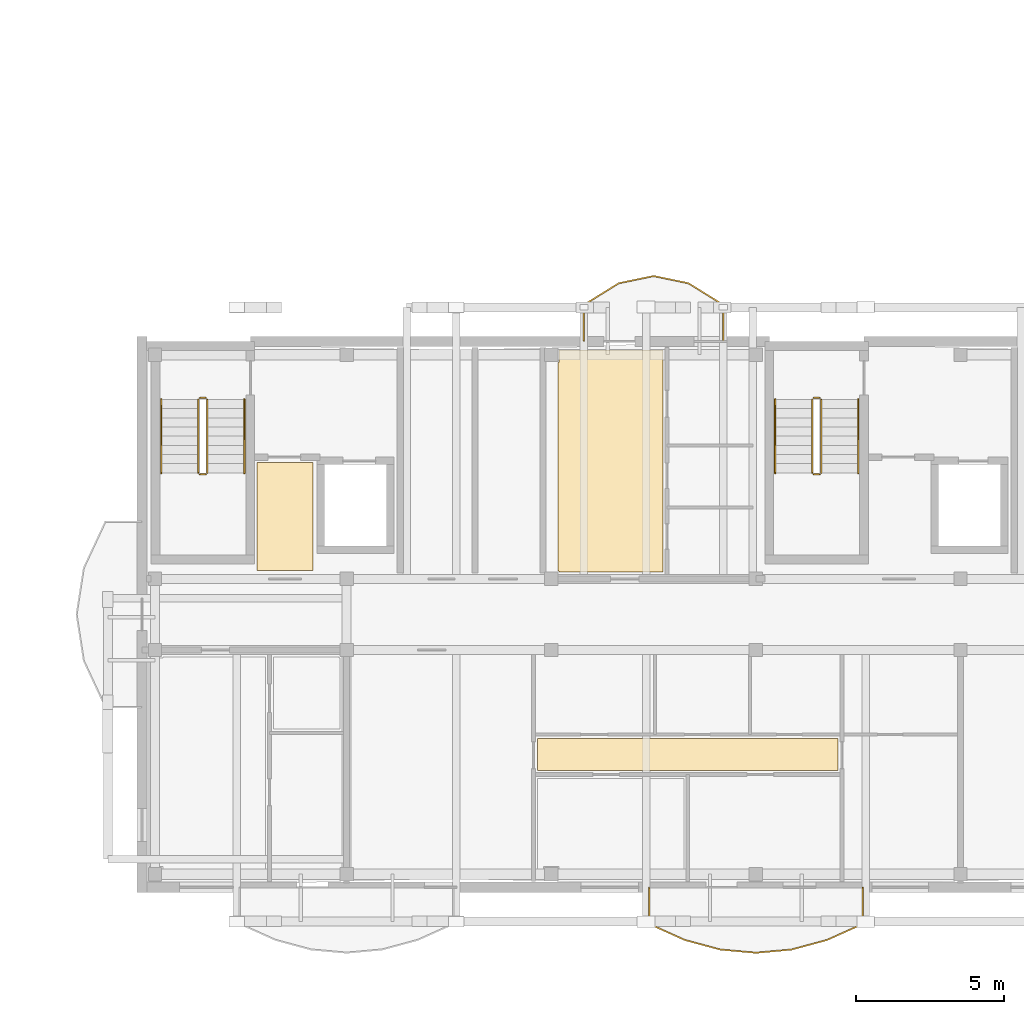
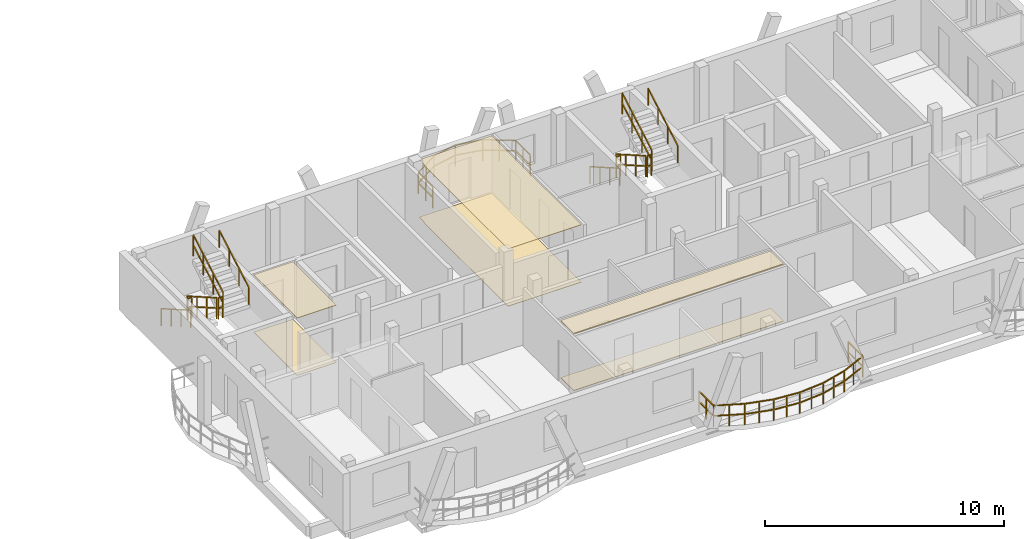
# One storey, part 39 of 42: 14 railings, 6 coverings.
"""IFC4 building model written with IfcOpenShell, lengths in metres."""

from ifc_helpers import new_model, si_unit, direction, frame, origin, origin_2d, place, context, subcontext, project, spatial, polyline, rectangle, outline, extrude, material, layer, layer_set, type_object, element, save


model = new_model("IFC4")

# Units and contexts
model_context = context("Model", 3, precision=1e-05, world=origin(), true_north=direction((0.0, 1.0)))
body_context = subcontext(model_context, "Body", "Model", "MODEL_VIEW")
ifc_project = project(units=[si_unit("LENGTHUNIT", "METRE"), si_unit("AREAUNIT", "SQUARE_METRE"), si_unit("VOLUMEUNIT", "CUBIC_METRE"), si_unit("PLANEANGLEUNIT", "RADIAN"), si_unit("MASSUNIT", "GRAM", prefix="KILO")], contexts=[model_context])

# Site, building, storey
site_placement = place(None, origin())
site = spatial("IfcSite", under=ifc_project, at=site_placement, CompositionType="ELEMENT")
building_placement = place(site_placement, origin())
building = spatial("IfcBuilding", under=site, at=building_placement, Name="Zavelmont Quarter", CompositionType="ELEMENT")
storey_placement = place(building_placement, frame((0.0, 0.0, 24.0)))
storey = spatial("IfcBuildingStorey", under=building, at=storey_placement, Name="L07", CompositionType="ELEMENT", Elevation=24.0)

# Coverings
ifc_material_1 = material(Name="Perforated acoustic gypsum board")
ifc_layer_1 = layer(ifc_material_1, 0.02490234375)
ifc_layer_set_1 = layer_set([ifc_layer_1], Name="Perforated acoustic gypsum board")
covering_type_1 = type_object("IfcCoveringType", Name="CV-CL01", PredefinedType="CEILING", material=ifc_layer_set_1)
covering_1_placement = place(storey_placement, frame((0.0, 0.0, 2.925048828125)))
element("IfcCovering", 1, at=covering_1_placement, inside=storey, type_object=covering_type_1, Name="L07 Lobby Vestibule acoustic ceiling", PredefinedType="CEILING", context=body_context, shape_type="SweptSolid", body=[
    extrude(outline(polyline([(130.47998046875, 14.320068359375), (132.3701171875, 14.320068359375), (132.3701171875, 10.679931640625), (130.47998046875, 10.679931640625), (130.47998046875, 14.320068359375)])), origin(), (0.0, 0.0, 1.0), 0.02490234375),
])
covering_2_placement = place(storey_placement, frame((0.0, 0.0, 2.925048828125)))
element("IfcCovering", 2, at=covering_2_placement, inside=storey, type_object=covering_type_1, Name="L07 Living Dining acoustic ceiling", PredefinedType="CEILING", context=body_context, shape_type="SweptSolid", body=[
    extrude(outline(polyline([(140.6298828125, 17.695068359375), (140.6650390625, 17.695068359375), (140.6650390625, 18.1201171875), (144.169921875, 18.1201171875), (144.169921875, 10.6298828125), (140.6650390625, 10.6298828125), (140.6650390625, 10.6650390625), (140.6298828125, 10.6650390625), (140.6298828125, 17.695068359375)])), origin(), (0.0, 0.0, 1.0), 0.02490234375),
])
ifc_material_2 = material(Name="Slatted European ash acoustic baffle ceiling")
ifc_layer_2 = layer(ifc_material_2, 0.0400390625)
ifc_layer_set_2 = layer_set([ifc_layer_2], Name="Slatted European ash acoustic baffle ceiling")
covering_type_2 = type_object("IfcCoveringType", Name="CV-CL02", PredefinedType="CEILING", material=ifc_layer_set_2)
covering_3_placement = place(storey_placement, frame((0.0, 0.0, 2.909912109375)))
element("IfcCovering", 3, at=covering_3_placement, inside=storey, type_object=covering_type_2, Name="L07 Apartment Hall acoustic ceiling", PredefinedType="CEILING", context=body_context, shape_type="SweptSolid", body=[
    extrude(outline(polyline([(139.929931640625, 5.02001953125), (150.070068359375, 5.02001953125), (150.070068359375, 3.929931640625), (139.929931640625, 3.929931640625), (139.929931640625, 5.02001953125)])), origin(), (0.0, 0.0, 1.0), 0.0400390625),
])
ifc_material_3 = material(Name="Engineered European oak parquet")
ifc_layer_3 = layer(ifc_material_3, 0.02197265625)
ifc_layer_set_3 = layer_set([ifc_layer_3], Name="Engineered European oak parquet")
covering_type_3 = type_object("IfcCoveringType", Name="CV-FL01", PredefinedType="FLOORING", material=ifc_layer_set_3)
covering_4_placement = place(storey_placement, origin())
element("IfcCovering", 4, at=covering_4_placement, inside=storey, type_object=covering_type_3, Name="L07 Lobby Vestibule floor finish", PredefinedType="FLOORING", context=body_context, shape_type="SweptSolid", body=[
    extrude(outline(polyline([(130.47998046875, 14.320068359375), (132.3701171875, 14.320068359375), (132.3701171875, 10.679931640625), (130.47998046875, 10.679931640625), (130.47998046875, 14.320068359375)])), origin(), (0.0, 0.0, 1.0), 0.02197265625),
])
covering_5_placement = place(storey_placement, origin())
element("IfcCovering", 5, at=covering_5_placement, inside=storey, type_object=covering_type_3, Name="L07 Living Dining floor finish", PredefinedType="FLOORING", context=body_context, shape_type="SweptSolid", body=[
    extrude(outline(polyline([(140.6298828125, 17.695068359375), (140.6650390625, 17.695068359375), (140.6650390625, 18.1201171875), (144.169921875, 18.1201171875), (144.169921875, 10.6298828125), (140.6650390625, 10.6298828125), (140.6650390625, 10.6650390625), (140.6298828125, 10.6650390625), (140.6298828125, 17.695068359375)])), origin(), (0.0, 0.0, 1.0), 0.02197265625),
])
ifc_material_4 = material(Name="Honed Belgian bluestone tile", Category="masonry")
ifc_layer_4 = layer(ifc_material_4, 0.030029296875)
ifc_layer_set_4 = layer_set([ifc_layer_4], Name="Honed Belgian bluestone tile")
covering_type_4 = type_object("IfcCoveringType", Name="CV-FL02", PredefinedType="FLOORING", material=ifc_layer_set_4)
covering_6_placement = place(storey_placement, origin())
element("IfcCovering", 6, at=covering_6_placement, inside=storey, type_object=covering_type_4, Name="L07 Apartment Hall floor finish", PredefinedType="FLOORING", context=body_context, shape_type="SweptSolid", body=[
    extrude(outline(polyline([(139.929931640625, 5.02001953125), (150.070068359375, 5.02001953125), (150.070068359375, 3.929931640625), (139.929931640625, 3.929931640625), (139.929931640625, 5.02001953125)])), origin(), (0.0, 0.0, 1.0), 0.030029296875),
])

# Railings
ifc_material_5 = material(Name="Powder-coated steel and tempered double safety glass", Category="steel")
railing_type_1 = type_object("IfcRailingType", Name="RL-BAL1", PredefinedType="BALUSTRADE", material=ifc_material_5)
railing_1_placement = place(storey_placement, frame((143.69873046875, -0.02001953125, 0.0)))
element("IfcRailing", 7, at=railing_1_placement, inside=storey, type_object=railing_type_1, Name="L07 Block D curved balcony guard RL-BAL1", PredefinedType="BALUSTRADE", context=body_context, shape_type="SweptSolid", body=[
    extrude(rectangle(XDim=0.048095703125, YDim=0.048095703125, at=origin_2d()), frame((0.0, 0.0, 1.076171875), z_axis=(0.0, -1.0, 0.0), x_axis=(1.0, 0.0, 0.0)), (0.0, 0.0, 1.0), 1.217529296875),
    extrude(rectangle(XDim=0.048095703125, YDim=0.048095703125, at=origin_2d()), frame((0.0, 0.0, 0.550048828125), z_axis=(0.0, -1.0, 0.0), x_axis=(1.0, 0.0, 0.0)), (0.0, 0.0, 1.0), 1.217529296875),
    extrude(rectangle(XDim=0.048095703125, YDim=0.048095703125, at=origin_2d()), frame((0.0, -1.217529296875, 1.076171875), z_axis=(0.911897212815, -0.410418656083, 0.0), x_axis=(0.410418656083, 0.911897212815, 0.0)), (0.0, 0.0, 1.0), 1.31640625),
    extrude(rectangle(XDim=0.048095703125, YDim=0.048095703125, at=origin_2d()), frame((0.0, -1.217529296875, 0.550048828125), z_axis=(0.911897212815, -0.410418656083, 0.0), x_axis=(0.410418656083, 0.911897212815, 0.0)), (0.0, 0.0, 1.0), 1.31640625),
    extrude(rectangle(XDim=0.048095703125, YDim=0.048095703125, at=origin_2d()), frame((1.200439453125, -1.7578125, 1.076171875), z_axis=(0.965408821509, -0.260740881628, 0.0), x_axis=(0.260740881628, 0.965408821509, 0.0)), (0.0, 0.0, 1.0), 1.243408203125),
    extrude(rectangle(XDim=0.048095703125, YDim=0.048095703125, at=origin_2d()), frame((1.200439453125, -1.7578125, 0.550048828125), z_axis=(0.965408821509, -0.260740881628, 0.0), x_axis=(0.260740881628, 0.965408821509, 0.0)), (0.0, 0.0, 1.0), 1.243408203125),
    extrude(rectangle(XDim=0.048095703125, YDim=0.048095703125, at=origin_2d()), frame((2.40087890625, -2.08203125, 1.076171875), z_axis=(0.995984017594, -0.089531205161, 0.0), x_axis=(0.089531205161, 0.995984017594, 0.0)), (0.0, 0.0, 1.0), 1.205322265625),
    extrude(rectangle(XDim=0.048095703125, YDim=0.048095703125, at=origin_2d()), frame((2.40087890625, -2.08203125, 0.550048828125), z_axis=(0.995984017594, -0.089531205161, 0.0), x_axis=(0.089531205161, 0.995984017594, 0.0)), (0.0, 0.0, 1.0), 1.205322265625),
    extrude(rectangle(XDim=0.048095703125, YDim=0.048095703125, at=origin_2d()), frame((3.601318359375, -2.18994140625, 1.076171875), z_axis=(0.995984017594, 0.089531205161, 0.0), x_axis=(-0.089531205161, 0.995984017594, 0.0)), (0.0, 0.0, 1.0), 1.205322265625),
    extrude(rectangle(XDim=0.048095703125, YDim=0.048095703125, at=origin_2d()), frame((3.601318359375, -2.18994140625, 0.550048828125), z_axis=(0.995984017594, 0.089531205161, 0.0), x_axis=(-0.089531205161, 0.995984017594, 0.0)), (0.0, 0.0, 1.0), 1.205322265625),
    extrude(rectangle(XDim=0.048095703125, YDim=0.048095703125, at=origin_2d()), frame((4.8017578125, -2.08203125, 1.076171875), z_axis=(0.965408821509, 0.260740881628, 0.0), x_axis=(-0.260740881628, 0.965408821509, 0.0)), (0.0, 0.0, 1.0), 1.243408203125),
    extrude(rectangle(XDim=0.048095703125, YDim=0.048095703125, at=origin_2d()), frame((4.8017578125, -2.08203125, 0.550048828125), z_axis=(0.965408821509, 0.260740881628, 0.0), x_axis=(-0.260740881628, 0.965408821509, 0.0)), (0.0, 0.0, 1.0), 1.243408203125),
    extrude(rectangle(XDim=0.048095703125, YDim=0.048095703125, at=origin_2d()), frame((6.002197265625, -1.7578125, 1.076171875), z_axis=(0.911897212815, 0.410418656083, 0.0), x_axis=(-0.410418656083, 0.911897212815, 0.0)), (0.0, 0.0, 1.0), 1.31640625),
    extrude(rectangle(XDim=0.048095703125, YDim=0.048095703125, at=origin_2d()), frame((6.002197265625, -1.7578125, 0.550048828125), z_axis=(0.911897212815, 0.410418656083, 0.0), x_axis=(-0.410418656083, 0.911897212815, 0.0)), (0.0, 0.0, 1.0), 1.31640625),
    extrude(rectangle(XDim=0.048095703125, YDim=0.048095703125, at=origin_2d()), frame((7.20263671875, -1.217529296875, 1.076171875), z_axis=(0.0, 1.0, 0.0), x_axis=(-1.0, 0.0, 0.0)), (0.0, 0.0, 1.0), 1.217529296875),
    extrude(rectangle(XDim=0.048095703125, YDim=0.048095703125, at=origin_2d()), frame((7.20263671875, -1.217529296875, 0.550048828125), z_axis=(0.0, 1.0, 0.0), x_axis=(-1.0, 0.0, 0.0)), (0.0, 0.0, 1.0), 1.217529296875),
    extrude(rectangle(XDim=0.0419921875, YDim=0.0419921875, at=origin_2d()), origin(), (0.0, 0.0, 1.0), 1.052001953125),
    extrude(rectangle(XDim=0.0419921875, YDim=0.0419921875, at=origin_2d()), frame((0.0, -0.60888671875, 0.0)), (0.0, 0.0, 1.0), 1.052001953125),
    extrude(rectangle(XDim=0.0419921875, YDim=0.0419921875, at=origin_2d()), frame((0.0, -1.217529296875, 0.0)), (0.0, 0.0, 1.0), 1.052001953125),
    extrude(rectangle(XDim=0.0419921875, YDim=0.0419921875, at=origin_2d()), frame((0.60009765625, -1.48779296875, 0.0)), (0.0, 0.0, 1.0), 1.052001953125),
    extrude(rectangle(XDim=0.0419921875, YDim=0.0419921875, at=origin_2d()), frame((1.200439453125, -1.7578125, 0.0)), (0.0, 0.0, 1.0), 1.052001953125),
    extrude(rectangle(XDim=0.0419921875, YDim=0.0419921875, at=origin_2d()), frame((1.80078125, -1.919921875, 0.0)), (0.0, 0.0, 1.0), 1.052001953125),
    extrude(rectangle(XDim=0.0419921875, YDim=0.0419921875, at=origin_2d()), frame((2.40087890625, -2.08203125, 0.0)), (0.0, 0.0, 1.0), 1.052001953125),
    extrude(rectangle(XDim=0.0419921875, YDim=0.0419921875, at=origin_2d()), frame((3.0009765625, -2.135986328125, 0.0)), (0.0, 0.0, 1.0), 1.052001953125),
    extrude(rectangle(XDim=0.0419921875, YDim=0.0419921875, at=origin_2d()), frame((3.601318359375, -2.18994140625, 0.0)), (0.0, 0.0, 1.0), 1.052001953125),
    extrude(rectangle(XDim=0.0419921875, YDim=0.0419921875, at=origin_2d()), frame((4.20166015625, -2.135986328125, 0.0)), (0.0, 0.0, 1.0), 1.052001953125),
    extrude(rectangle(XDim=0.0419921875, YDim=0.0419921875, at=origin_2d()), frame((4.8017578125, -2.08203125, 0.0)), (0.0, 0.0, 1.0), 1.052001953125),
    extrude(rectangle(XDim=0.0419921875, YDim=0.0419921875, at=origin_2d()), frame((5.40185546875, -1.919921875, 0.0)), (0.0, 0.0, 1.0), 1.052001953125),
    extrude(rectangle(XDim=0.0419921875, YDim=0.0419921875, at=origin_2d()), frame((6.002197265625, -1.7578125, 0.0)), (0.0, 0.0, 1.0), 1.052001953125),
    extrude(rectangle(XDim=0.0419921875, YDim=0.0419921875, at=origin_2d()), frame((6.6025390625, -1.48779296875, 0.0)), (0.0, 0.0, 1.0), 1.052001953125),
    extrude(rectangle(XDim=0.0419921875, YDim=0.0419921875, at=origin_2d()), frame((7.20263671875, -1.217529296875, 0.0)), (0.0, 0.0, 1.0), 1.052001953125),
    extrude(rectangle(XDim=0.0419921875, YDim=0.0419921875, at=origin_2d()), frame((7.20263671875, -0.60888671875, 0.0)), (0.0, 0.0, 1.0), 1.052001953125),
    extrude(rectangle(XDim=0.0419921875, YDim=0.0419921875, at=origin_2d()), frame((7.20263671875, 0.0, 0.0)), (0.0, 0.0, 1.0), 1.052001953125),
])
railing_2_placement = place(storey_placement, frame((146.199462890625, 18.419921875, 0.0)))
element("IfcRailing", 8, at=railing_2_placement, inside=storey, type_object=railing_type_1, Name="L07 Block D curved balcony guard RL-BAL1", PredefinedType="BALUSTRADE", context=body_context, shape_type="SweptSolid", body=[
    extrude(rectangle(XDim=0.048095703125, YDim=0.048095703125, at=origin_2d()), frame((0.0, 0.0, 1.076171875), z_axis=(0.0, 1.0, 0.0), x_axis=(-1.0, 0.0, 0.0)), (0.0, 0.0, 1.0), 1.2177734375),
    extrude(rectangle(XDim=0.048095703125, YDim=0.048095703125, at=origin_2d()), frame((0.0, 0.0, 0.550048828125), z_axis=(0.0, 1.0, 0.0), x_axis=(-1.0, 0.0, 0.0)), (0.0, 0.0, 1.0), 1.2177734375),
    extrude(rectangle(XDim=0.048095703125, YDim=0.048095703125, at=origin_2d()), frame((0.0, 1.2177734375, 1.076171875), z_axis=(-0.849621069559, 0.527393627343, 0.0), x_axis=(-0.527393627343, -0.849621069559, 0.0)), (0.0, 0.0, 1.0), 1.3828125),
    extrude(rectangle(XDim=0.048095703125, YDim=0.048095703125, at=origin_2d()), frame((0.0, 1.2177734375, 0.550048828125), z_axis=(-0.849621069559, 0.527393627343, 0.0), x_axis=(-0.527393627343, -0.849621069559, 0.0)), (0.0, 0.0, 1.0), 1.3828125),
    extrude(rectangle(XDim=0.048095703125, YDim=0.048095703125, at=origin_2d()), frame((-1.1748046875, 1.947021484375, 1.076171875), z_axis=(-0.979235346541, 0.202726752267, 0.0), x_axis=(-0.202726752267, -0.979235346541, 0.0)), (0.0, 0.0, 1.0), 1.199462890625),
    extrude(rectangle(XDim=0.048095703125, YDim=0.048095703125, at=origin_2d()), frame((-1.1748046875, 1.947021484375, 0.550048828125), z_axis=(-0.979235346541, 0.202726752267, 0.0), x_axis=(-0.202726752267, -0.979235346541, 0.0)), (0.0, 0.0, 1.0), 1.199462890625),
    extrude(rectangle(XDim=0.048095703125, YDim=0.048095703125, at=origin_2d()), frame((-2.349365234375, 2.190185546875, 1.076171875), z_axis=(-0.979243709193, -0.202686353773, 0.0), x_axis=(0.202686353773, -0.979243709193, 0.0)), (0.0, 0.0, 1.0), 1.19970703125),
    extrude(rectangle(XDim=0.048095703125, YDim=0.048095703125, at=origin_2d()), frame((-2.349365234375, 2.190185546875, 0.550048828125), z_axis=(-0.979243709193, -0.202686353773, 0.0), x_axis=(0.202686353773, -0.979243709193, 0.0)), (0.0, 0.0, 1.0), 1.19970703125),
    extrude(rectangle(XDim=0.048095703125, YDim=0.048095703125, at=origin_2d()), frame((-3.524169921875, 1.947021484375, 1.076171875), z_axis=(-0.849621069559, -0.527393627343, 0.0), x_axis=(0.527393627343, -0.849621069559, 0.0)), (0.0, 0.0, 1.0), 1.3828125),
    extrude(rectangle(XDim=0.048095703125, YDim=0.048095703125, at=origin_2d()), frame((-3.524169921875, 1.947021484375, 0.550048828125), z_axis=(-0.849621069559, -0.527393627343, 0.0), x_axis=(0.527393627343, -0.849621069559, 0.0)), (0.0, 0.0, 1.0), 1.3828125),
    extrude(rectangle(XDim=0.048095703125, YDim=0.048095703125, at=origin_2d()), frame((-4.698974609375, 1.2177734375, 1.076171875), z_axis=(0.0, -1.0, 0.0), x_axis=(1.0, 0.0, 0.0)), (0.0, 0.0, 1.0), 1.2177734375),
    extrude(rectangle(XDim=0.048095703125, YDim=0.048095703125, at=origin_2d()), frame((-4.698974609375, 1.2177734375, 0.550048828125), z_axis=(0.0, -1.0, 0.0), x_axis=(1.0, 0.0, 0.0)), (0.0, 0.0, 1.0), 1.2177734375),
    extrude(rectangle(XDim=0.0419921875, YDim=0.0419921875, at=origin_2d()), origin(), (0.0, 0.0, 1.0), 1.052001953125),
    extrude(rectangle(XDim=0.0419921875, YDim=0.0419921875, at=origin_2d()), frame((0.0, 0.60888671875, 0.0)), (0.0, 0.0, 1.0), 1.052001953125),
    extrude(rectangle(XDim=0.0419921875, YDim=0.0419921875, at=origin_2d()), frame((0.0, 1.2177734375, 0.0)), (0.0, 0.0, 1.0), 1.052001953125),
    extrude(rectangle(XDim=0.0419921875, YDim=0.0419921875, at=origin_2d()), frame((-0.58740234375, 1.58251953125, 0.0)), (0.0, 0.0, 1.0), 1.052001953125),
    extrude(rectangle(XDim=0.0419921875, YDim=0.0419921875, at=origin_2d()), frame((-1.1748046875, 1.947021484375, 0.0)), (0.0, 0.0, 1.0), 1.052001953125),
    extrude(rectangle(XDim=0.0419921875, YDim=0.0419921875, at=origin_2d()), frame((-2.349365234375, 2.190185546875, 0.0)), (0.0, 0.0, 1.0), 1.052001953125),
    extrude(rectangle(XDim=0.0419921875, YDim=0.0419921875, at=origin_2d()), frame((-3.524169921875, 1.947021484375, 0.0)), (0.0, 0.0, 1.0), 1.052001953125),
    extrude(rectangle(XDim=0.0419921875, YDim=0.0419921875, at=origin_2d()), frame((-4.111572265625, 1.58251953125, 0.0)), (0.0, 0.0, 1.0), 1.052001953125),
    extrude(rectangle(XDim=0.0419921875, YDim=0.0419921875, at=origin_2d()), frame((-4.698974609375, 1.2177734375, 0.0)), (0.0, 0.0, 1.0), 1.052001953125),
    extrude(rectangle(XDim=0.0419921875, YDim=0.0419921875, at=origin_2d()), frame((-4.698974609375, 0.60888671875, 0.0)), (0.0, 0.0, 1.0), 1.052001953125),
    extrude(rectangle(XDim=0.0419921875, YDim=0.0419921875, at=origin_2d()), frame((-4.698974609375, 0.0, 0.0)), (0.0, 0.0, 1.0), 1.052001953125),
])
ifc_material_6 = material(Name="Powder-coated steel stair guardrail", Category="steel")
railing_type_2 = type_object("IfcRailingType", Name="RL-GRD1", PredefinedType="GUARDRAIL", material=ifc_material_6)
railing_3_placement = place(storey_placement, frame((128.5, 16.449951171875, 0.177734375)))
element("IfcRailing", 9, at=railing_3_placement, inside=storey, type_object=railing_type_2, Name="L07 ST07 stair guardrail 1", PredefinedType="GUARDRAIL", context=body_context, shape_type="SweptSolid", body=[
    extrude(rectangle(XDim=0.048095703125, YDim=0.048095703125, at=origin_2d()), frame((0.0, 0.0, 1.076171875), z_axis=(0.0, -0.867453774394, 0.497517787913), x_axis=(1.0, 0.0, 0.0)), (0.0, 0.0, 1.0), 2.85888671875),
    extrude(rectangle(XDim=0.048095703125, YDim=0.048095703125, at=origin_2d()), frame((0.0, 0.0, 0.550048828125), z_axis=(0.0, -0.867453774394, 0.497517787913), x_axis=(1.0, 0.0, 0.0)), (0.0, 0.0, 1.0), 2.85888671875),
    extrude(rectangle(XDim=0.0419921875, YDim=0.0419921875, at=origin_2d()), origin(), (0.0, 0.0, 1.0), 1.052001953125),
    extrude(rectangle(XDim=0.0419921875, YDim=0.0419921875, at=origin_2d()), frame((0.0, -0.82666015625, 0.47412109375)), (0.0, 0.0, 1.0), 1.052001953125),
    extrude(rectangle(XDim=0.0419921875, YDim=0.0419921875, at=origin_2d()), frame((0.0, -1.6533203125, 0.9482421875)), (0.0, 0.0, 1.0), 1.052001953125),
    extrude(rectangle(XDim=0.0419921875, YDim=0.0419921875, at=origin_2d()), frame((0.0, -2.47998046875, 1.42236328125)), (0.0, 0.0, 1.0), 1.052001953125),
])
railing_4_placement = place(storey_placement, frame((128.550048828125, 13.919921875, 1.60009765625)))
element("IfcRailing", 10, at=railing_4_placement, inside=storey, type_object=railing_type_2, Name="L07 ST07 stair guardrail 2", PredefinedType="GUARDRAIL", context=body_context, shape_type="SweptSolid", body=[
    extrude(rectangle(XDim=0.048095703125, YDim=0.048095703125, at=origin_2d()), frame((0.0, 0.0, 1.076171875), z_axis=(1.0, 0.0, 0.0), x_axis=(0.0, 1.0, 0.0)), (0.0, 0.0, 1.0), 0.199951171875),
    extrude(rectangle(XDim=0.048095703125, YDim=0.048095703125, at=origin_2d()), frame((0.0, 0.0, 0.550048828125), z_axis=(1.0, 0.0, 0.0), x_axis=(0.0, 1.0, 0.0)), (0.0, 0.0, 1.0), 0.199951171875),
    extrude(rectangle(XDim=0.0419921875, YDim=0.0419921875, at=origin_2d()), origin(), (0.0, 0.0, 1.0), 1.052001953125),
    extrude(rectangle(XDim=0.0419921875, YDim=0.0419921875, at=origin_2d()), frame((0.199951171875, 0.0, 0.0)), (0.0, 0.0, 1.0), 1.052001953125),
])
railing_5_placement = place(storey_placement, frame((128.800048828125, 13.969970703125, 1.77783203125)))
element("IfcRailing", 11, at=railing_5_placement, inside=storey, type_object=railing_type_2, Name="L07 ST07 stair guardrail 3", PredefinedType="GUARDRAIL", context=body_context, shape_type="SweptSolid", body=[
    extrude(rectangle(XDim=0.048095703125, YDim=0.048095703125, at=origin_2d()), frame((0.0, 0.0, 1.076171875), z_axis=(0.0, 0.867490628297, 0.497453525283), x_axis=(-1.0, 0.0, 0.0)), (0.0, 0.0, 1.0), 2.85888671875),
    extrude(rectangle(XDim=0.048095703125, YDim=0.048095703125, at=origin_2d()), frame((0.0, 0.0, 0.550048828125), z_axis=(0.0, 0.867490628297, 0.497453525283), x_axis=(-1.0, 0.0, 0.0)), (0.0, 0.0, 1.0), 2.85888671875),
    extrude(rectangle(XDim=0.0419921875, YDim=0.0419921875, at=origin_2d()), origin(), (0.0, 0.0, 1.0), 1.052001953125),
    extrude(rectangle(XDim=0.0419921875, YDim=0.0419921875, at=origin_2d()), frame((0.0, 0.82666015625, 0.47412109375)), (0.0, 0.0, 1.0), 1.052001953125),
    extrude(rectangle(XDim=0.0419921875, YDim=0.0419921875, at=origin_2d()), frame((0.0, 1.6533203125, 0.947998046875)), (0.0, 0.0, 1.0), 1.052001953125),
    extrude(rectangle(XDim=0.0419921875, YDim=0.0419921875, at=origin_2d()), frame((0.0, 2.47998046875, 1.422119140625)), (0.0, 0.0, 1.0), 1.052001953125),
])
railing_6_placement = place(storey_placement, frame((128.550048828125, 16.5, 0.0)))
element("IfcRailing", 12, at=railing_6_placement, inside=storey, type_object=railing_type_2, Name="L07 ST07 stair guardrail 4", PredefinedType="GUARDRAIL", context=body_context, shape_type="SweptSolid", body=[
    extrude(rectangle(XDim=0.048095703125, YDim=0.048095703125, at=origin_2d()), frame((0.0, 0.0, 1.076171875), z_axis=(1.0, 0.0, 0.0), x_axis=(0.0, 1.0, 0.0)), (0.0, 0.0, 1.0), 0.199951171875),
    extrude(rectangle(XDim=0.048095703125, YDim=0.048095703125, at=origin_2d()), frame((0.0, 0.0, 0.550048828125), z_axis=(1.0, 0.0, 0.0), x_axis=(0.0, 1.0, 0.0)), (0.0, 0.0, 1.0), 0.199951171875),
    extrude(rectangle(XDim=0.0419921875, YDim=0.0419921875, at=origin_2d()), origin(), (0.0, 0.0, 1.0), 1.052001953125),
    extrude(rectangle(XDim=0.0419921875, YDim=0.0419921875, at=origin_2d()), frame((0.199951171875, 0.0, 0.0)), (0.0, 0.0, 1.0), 1.052001953125),
])
railing_7_placement = place(storey_placement, frame((149.199951171875, 16.449951171875, 0.177734375)))
element("IfcRailing", 13, at=railing_7_placement, inside=storey, type_object=railing_type_2, Name="L07 ST08 stair guardrail 1", PredefinedType="GUARDRAIL", context=body_context, shape_type="SweptSolid", body=[
    extrude(rectangle(XDim=0.048095703125, YDim=0.048095703125, at=origin_2d()), frame((0.0, 0.0, 1.076171875), z_axis=(0.0, -0.867453774394, 0.497517787913), x_axis=(1.0, 0.0, 0.0)), (0.0, 0.0, 1.0), 2.85888671875),
    extrude(rectangle(XDim=0.048095703125, YDim=0.048095703125, at=origin_2d()), frame((0.0, 0.0, 0.550048828125), z_axis=(0.0, -0.867453774394, 0.497517787913), x_axis=(1.0, 0.0, 0.0)), (0.0, 0.0, 1.0), 2.85888671875),
    extrude(rectangle(XDim=0.0419921875, YDim=0.0419921875, at=origin_2d()), origin(), (0.0, 0.0, 1.0), 1.052001953125),
    extrude(rectangle(XDim=0.0419921875, YDim=0.0419921875, at=origin_2d()), frame((0.0, -0.82666015625, 0.47412109375)), (0.0, 0.0, 1.0), 1.052001953125),
    extrude(rectangle(XDim=0.0419921875, YDim=0.0419921875, at=origin_2d()), frame((0.0, -1.6533203125, 0.9482421875)), (0.0, 0.0, 1.0), 1.052001953125),
    extrude(rectangle(XDim=0.0419921875, YDim=0.0419921875, at=origin_2d()), frame((0.0, -2.47998046875, 1.42236328125)), (0.0, 0.0, 1.0), 1.052001953125),
])
railing_8_placement = place(storey_placement, frame((149.25, 13.919921875, 1.60009765625)))
element("IfcRailing", 14, at=railing_8_placement, inside=storey, type_object=railing_type_2, Name="L07 ST08 stair guardrail 2", PredefinedType="GUARDRAIL", context=body_context, shape_type="SweptSolid", body=[
    extrude(rectangle(XDim=0.048095703125, YDim=0.048095703125, at=origin_2d()), frame((0.0, 0.0, 1.076171875), z_axis=(1.0, 0.0, 0.0), x_axis=(0.0, 1.0, 0.0)), (0.0, 0.0, 1.0), 0.199951171875),
    extrude(rectangle(XDim=0.048095703125, YDim=0.048095703125, at=origin_2d()), frame((0.0, 0.0, 0.550048828125), z_axis=(1.0, 0.0, 0.0), x_axis=(0.0, 1.0, 0.0)), (0.0, 0.0, 1.0), 0.199951171875),
    extrude(rectangle(XDim=0.0419921875, YDim=0.0419921875, at=origin_2d()), origin(), (0.0, 0.0, 1.0), 1.052001953125),
    extrude(rectangle(XDim=0.0419921875, YDim=0.0419921875, at=origin_2d()), frame((0.199951171875, 0.0, 0.0)), (0.0, 0.0, 1.0), 1.052001953125),
])
railing_9_placement = place(storey_placement, frame((149.5, 13.969970703125, 1.77783203125)))
element("IfcRailing", 15, at=railing_9_placement, inside=storey, type_object=railing_type_2, Name="L07 ST08 stair guardrail 3", PredefinedType="GUARDRAIL", context=body_context, shape_type="SweptSolid", body=[
    extrude(rectangle(XDim=0.048095703125, YDim=0.048095703125, at=origin_2d()), frame((0.0, 0.0, 1.076171875), z_axis=(0.0, 0.867490628297, 0.497453525283), x_axis=(-1.0, 0.0, 0.0)), (0.0, 0.0, 1.0), 2.85888671875),
    extrude(rectangle(XDim=0.048095703125, YDim=0.048095703125, at=origin_2d()), frame((0.0, 0.0, 0.550048828125), z_axis=(0.0, 0.867490628297, 0.497453525283), x_axis=(-1.0, 0.0, 0.0)), (0.0, 0.0, 1.0), 2.85888671875),
    extrude(rectangle(XDim=0.0419921875, YDim=0.0419921875, at=origin_2d()), origin(), (0.0, 0.0, 1.0), 1.052001953125),
    extrude(rectangle(XDim=0.0419921875, YDim=0.0419921875, at=origin_2d()), frame((0.0, 0.82666015625, 0.47412109375)), (0.0, 0.0, 1.0), 1.052001953125),
    extrude(rectangle(XDim=0.0419921875, YDim=0.0419921875, at=origin_2d()), frame((0.0, 1.6533203125, 0.947998046875)), (0.0, 0.0, 1.0), 1.052001953125),
    extrude(rectangle(XDim=0.0419921875, YDim=0.0419921875, at=origin_2d()), frame((0.0, 2.47998046875, 1.422119140625)), (0.0, 0.0, 1.0), 1.052001953125),
])
railing_10_placement = place(storey_placement, frame((149.25, 16.5, 0.0)))
element("IfcRailing", 16, at=railing_10_placement, inside=storey, type_object=railing_type_2, Name="L07 ST08 stair guardrail 4", PredefinedType="GUARDRAIL", context=body_context, shape_type="SweptSolid", body=[
    extrude(rectangle(XDim=0.048095703125, YDim=0.048095703125, at=origin_2d()), frame((0.0, 0.0, 1.076171875), z_axis=(1.0, 0.0, 0.0), x_axis=(0.0, 1.0, 0.0)), (0.0, 0.0, 1.0), 0.199951171875),
    extrude(rectangle(XDim=0.048095703125, YDim=0.048095703125, at=origin_2d()), frame((0.0, 0.0, 0.550048828125), z_axis=(1.0, 0.0, 0.0), x_axis=(0.0, 1.0, 0.0)), (0.0, 0.0, 1.0), 0.199951171875),
    extrude(rectangle(XDim=0.0419921875, YDim=0.0419921875, at=origin_2d()), origin(), (0.0, 0.0, 1.0), 1.052001953125),
    extrude(rectangle(XDim=0.0419921875, YDim=0.0419921875, at=origin_2d()), frame((0.199951171875, 0.0, 0.0)), (0.0, 0.0, 1.0), 1.052001953125),
])
ifc_material_7 = material(Name="Brushed stainless-steel wall handrail", Category="steel")
railing_type_3 = type_object("IfcRailingType", Name="RL-HND1", PredefinedType="HANDRAIL", material=ifc_material_7)
railing_11_placement = place(storey_placement, frame((127.25, 16.449951171875, 0.177734375)))
element("IfcRailing", 17, at=railing_11_placement, inside=storey, type_object=railing_type_3, Name="L07 ST07 stair handrail 1", PredefinedType="HANDRAIL", context=body_context, shape_type="SweptSolid", body=[
    extrude(rectangle(XDim=0.048095703125, YDim=0.048095703125, at=origin_2d()), frame((0.0, 0.0, 0.8759765625), z_axis=(0.0, -0.867453774394, 0.497517787913), x_axis=(1.0, 0.0, 0.0)), (0.0, 0.0, 1.0), 2.85888671875),
    extrude(rectangle(XDim=0.0419921875, YDim=0.0419921875, at=origin_2d()), origin(), (0.0, 0.0, 1.0), 0.851806640625),
    extrude(rectangle(XDim=0.0419921875, YDim=0.0419921875, at=origin_2d()), frame((0.0, -0.82666015625, 0.47412109375)), (0.0, 0.0, 1.0), 0.851806640625),
    extrude(rectangle(XDim=0.0419921875, YDim=0.0419921875, at=origin_2d()), frame((0.0, -1.6533203125, 0.9482421875)), (0.0, 0.0, 1.0), 0.851806640625),
    extrude(rectangle(XDim=0.0419921875, YDim=0.0419921875, at=origin_2d()), frame((0.0, -2.47998046875, 1.42236328125)), (0.0, 0.0, 1.0), 0.851806640625),
])
railing_12_placement = place(storey_placement, frame((130.050048828125, 13.969970703125, 1.77783203125)))
element("IfcRailing", 18, at=railing_12_placement, inside=storey, type_object=railing_type_3, Name="L07 ST07 stair handrail 2", PredefinedType="HANDRAIL", context=body_context, shape_type="SweptSolid", body=[
    extrude(rectangle(XDim=0.048095703125, YDim=0.048095703125, at=origin_2d()), frame((0.0, 0.0, 0.8759765625), z_axis=(0.0, 0.867490628297, 0.497453525283), x_axis=(-1.0, 0.0, 0.0)), (0.0, 0.0, 1.0), 2.85888671875),
    extrude(rectangle(XDim=0.0419921875, YDim=0.0419921875, at=origin_2d()), origin(), (0.0, 0.0, 1.0), 0.851806640625),
    extrude(rectangle(XDim=0.0419921875, YDim=0.0419921875, at=origin_2d()), frame((0.0, 0.82666015625, 0.47412109375)), (0.0, 0.0, 1.0), 0.851806640625),
    extrude(rectangle(XDim=0.0419921875, YDim=0.0419921875, at=origin_2d()), frame((0.0, 1.6533203125, 0.947998046875)), (0.0, 0.0, 1.0), 0.851806640625),
    extrude(rectangle(XDim=0.0419921875, YDim=0.0419921875, at=origin_2d()), frame((0.0, 2.47998046875, 1.422119140625)), (0.0, 0.0, 1.0), 0.851806640625),
])
railing_13_placement = place(storey_placement, frame((147.949951171875, 16.449951171875, 0.177734375)))
element("IfcRailing", 19, at=railing_13_placement, inside=storey, type_object=railing_type_3, Name="L07 ST08 stair handrail 1", PredefinedType="HANDRAIL", context=body_context, shape_type="SweptSolid", body=[
    extrude(rectangle(XDim=0.048095703125, YDim=0.048095703125, at=origin_2d()), frame((0.0, 0.0, 0.8759765625), z_axis=(0.0, -0.867453774394, 0.497517787913), x_axis=(1.0, 0.0, 0.0)), (0.0, 0.0, 1.0), 2.85888671875),
    extrude(rectangle(XDim=0.0419921875, YDim=0.0419921875, at=origin_2d()), origin(), (0.0, 0.0, 1.0), 0.851806640625),
    extrude(rectangle(XDim=0.0419921875, YDim=0.0419921875, at=origin_2d()), frame((0.0, -0.82666015625, 0.47412109375)), (0.0, 0.0, 1.0), 0.851806640625),
    extrude(rectangle(XDim=0.0419921875, YDim=0.0419921875, at=origin_2d()), frame((0.0, -1.6533203125, 0.9482421875)), (0.0, 0.0, 1.0), 0.851806640625),
    extrude(rectangle(XDim=0.0419921875, YDim=0.0419921875, at=origin_2d()), frame((0.0, -2.47998046875, 1.42236328125)), (0.0, 0.0, 1.0), 0.851806640625),
])
railing_14_placement = place(storey_placement, frame((150.75, 13.969970703125, 1.77783203125)))
element("IfcRailing", 20, at=railing_14_placement, inside=storey, type_object=railing_type_3, Name="L07 ST08 stair handrail 2", PredefinedType="HANDRAIL", context=body_context, shape_type="SweptSolid", body=[
    extrude(rectangle(XDim=0.048095703125, YDim=0.048095703125, at=origin_2d()), frame((0.0, 0.0, 0.8759765625), z_axis=(0.0, 0.867490628297, 0.497453525283), x_axis=(-1.0, 0.0, 0.0)), (0.0, 0.0, 1.0), 2.85888671875),
    extrude(rectangle(XDim=0.0419921875, YDim=0.0419921875, at=origin_2d()), origin(), (0.0, 0.0, 1.0), 0.851806640625),
    extrude(rectangle(XDim=0.0419921875, YDim=0.0419921875, at=origin_2d()), frame((0.0, 0.82666015625, 0.47412109375)), (0.0, 0.0, 1.0), 0.851806640625),
    extrude(rectangle(XDim=0.0419921875, YDim=0.0419921875, at=origin_2d()), frame((0.0, 1.6533203125, 0.947998046875)), (0.0, 0.0, 1.0), 0.851806640625),
    extrude(rectangle(XDim=0.0419921875, YDim=0.0419921875, at=origin_2d()), frame((0.0, 2.47998046875, 1.422119140625)), (0.0, 0.0, 1.0), 0.851806640625),
])

save(model, "model.ifc")
